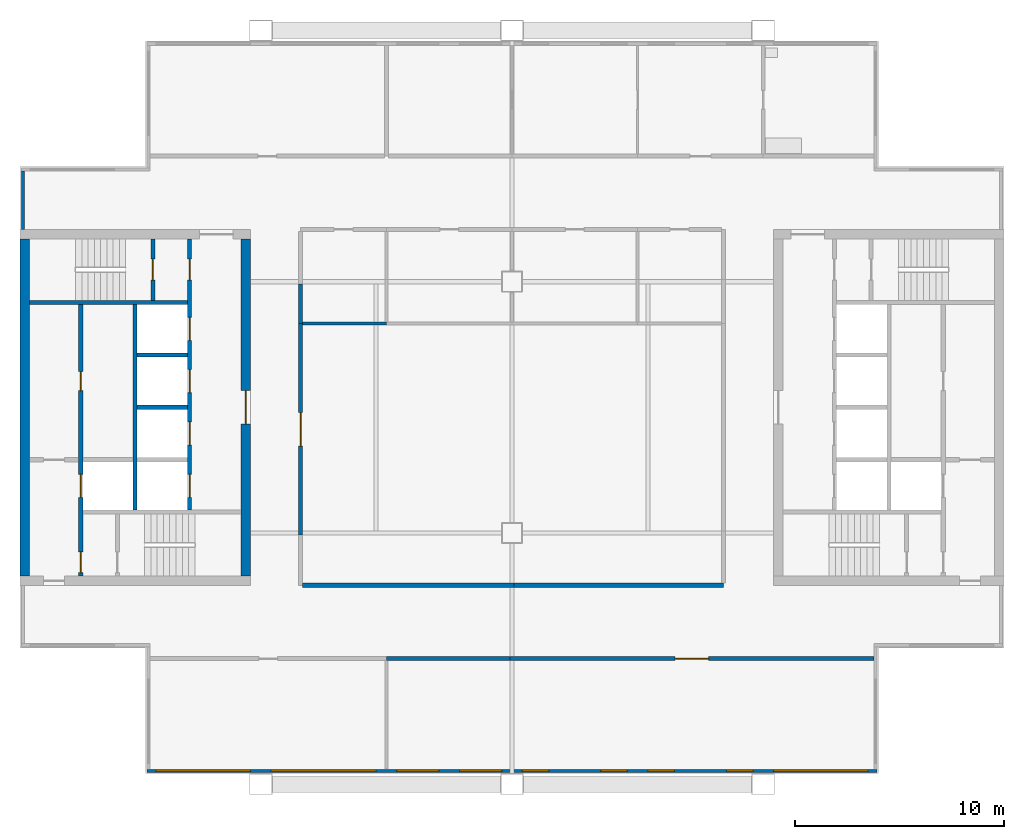
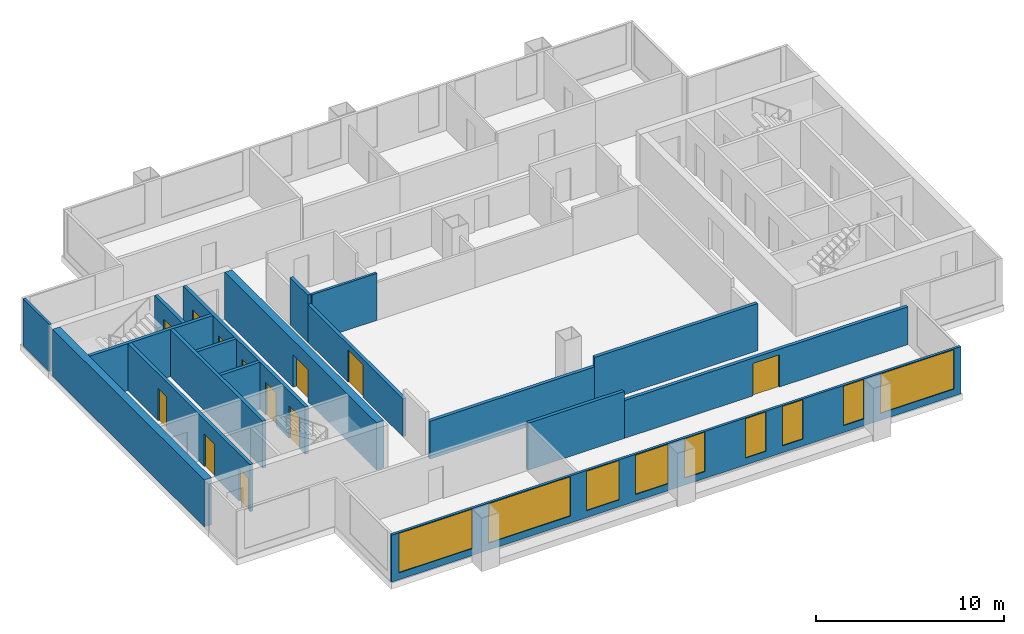
# One storey, part 2 of 7: 18 walls, 12 doors, 9 windows, 21 openings.
"""IFC4 building model written with IfcOpenShell, lengths in metres."""

from ifc_helpers import new_model, si_unit, direction, frame, frame_2d, origin, place, context, subcontext, project, spatial, rectangle, extrude, material, layer, layer_set, type_object, element, fill, save


model = new_model("IFC4")

# Units and contexts
model_context = context("Model", 3, precision=1e-05, world=origin(), true_north=direction((0.0, 1.0)))
body_context = subcontext(model_context, "Body", "Model", "MODEL_VIEW")
ifc_project = project(units=[si_unit("LENGTHUNIT", "METRE"), si_unit("AREAUNIT", "SQUARE_METRE"), si_unit("VOLUMEUNIT", "CUBIC_METRE"), si_unit("PLANEANGLEUNIT", "RADIAN"), si_unit("MASSUNIT", "GRAM", prefix="KILO")], contexts=[model_context])

# Site, building, storey
site_placement = place(None, origin())
site = spatial("IfcSite", under=ifc_project, at=site_placement, CompositionType="ELEMENT")
building_placement = place(site_placement, origin())
building = spatial("IfcBuilding", under=site, at=building_placement, Name="Kitamizu Gate Tower and Museum", CompositionType="ELEMENT")
storey_placement = place(building_placement, frame((0.0, 0.0, 242.10009765625)))
storey = spatial("IfcBuildingStorey", under=building, at=storey_placement, Name="L65", CompositionType="ELEMENT", Elevation=242.10009765625)

# Wall
ifc_material_1 = material(Name="Concrete Fc42", Category="concrete")
ifc_layer_1 = layer(ifc_material_1, 0.449951171875)
ifc_layer_set_1 = layer_set([ifc_layer_1], Name="Concrete Fc42")
wall_type_1 = type_object("IfcWallType", Name="Core wall 450", PredefinedType="SHEAR", material=ifc_layer_set_1)
wall_1_placement = place(storey_placement, frame((12.72509765625, 21.949951171875, 0.0), z_axis=(0.0, 0.0, 1.0), x_axis=(0.0, 1.0, 0.0)))
element("IfcWall", 1, at=wall_1_placement, inside=storey, type_object=wall_type_1, Name="Core wall WOUT", PredefinedType="SHEAR", context=body_context, shape_type="SweptSolid", body=[
    extrude(rectangle(XDim=16.10009765625, YDim=0.449951171875, at=frame_2d((8.050048828125, 0.0))), origin(), (0.0, 0.0, 1.0), 3.0498046875),
])

# Wall, opening, door
wall_2_placement = place(storey_placement, frame((23.27490234375, 21.949951171875, 0.0), z_axis=(0.0, 0.0, 1.0), x_axis=(0.0, 1.0, 0.0)))
wall_2 = element("IfcWall", 2, at=wall_2_placement, inside=storey, type_object=wall_type_1, Name="Core wall WARC", PredefinedType="SHEAR", context=body_context, shape_type="SweptSolid", body=[
    extrude(rectangle(XDim=16.10009765625, YDim=0.449951171875, at=frame_2d((8.050048828125, 0.0))), origin(), (0.0, 0.0, 1.0), 3.0498046875),
])
opening_1_placement = place(wall_2_placement, frame((7.25, 0.0, 0.0)))
opening_1 = element("IfcOpeningElement", 3, at=opening_1_placement, cuts=wall_2, Name="Opening L65-020", PredefinedType="OPENING", context=body_context, shape_type="SweptSolid", body=[
    extrude(rectangle(XDim=1.60009765625, YDim=2.10009765625, at=frame_2d((0.800048828125, 1.050048828125))), frame((0.0, 0.23486328125, 0.0), z_axis=(0.0, -1.0, 0.0), x_axis=(1.0, 0.0, 0.0)), (0.0, 0.0, 1.0), 0.469970703125),
])
ifc_material_2 = material(Name="Timber door set", Category="wood")
door_type_1 = type_object("IfcDoorType", Name="Entrance door 1600", OperationType="DOUBLE_DOOR_SINGLE_SWING", PredefinedType="DOOR", material=ifc_material_2)
door_1_placement = place(opening_1_placement, origin())
door_1 = element("IfcDoor", 4, at=door_1_placement, inside=storey, type_object=door_type_1, Name="Lobby door L65-020", OperationType="DOUBLE_DOOR_SINGLE_SWING", OverallHeight=2.10009765625, OverallWidth=1.60009765625, PredefinedType="DOOR", context=body_context, shape_type="SweptSolid", body=[
    extrude(rectangle(XDim=1.60009765625, YDim=2.10009765625, at=frame_2d((0.800048828125, 1.050048828125))), frame((0.0, 0.02490234375, 0.0), z_axis=(0.0, -1.0, 0.0), x_axis=(1.0, 0.0, 0.0)), (0.0, 0.0, 1.0), 0.050048828125),
])
fill(opening_1, door_1)

# Wall
ifc_material_3 = material(Name="Gypsum board on galvanised stud")
ifc_layer_2 = layer(ifc_material_3, 0.14990234375)
ifc_layer_set_2 = layer_set([ifc_layer_2], Name="Gypsum board on galvanised stud")
wall_type_2 = type_object("IfcWallType", Name="Partition 150", PredefinedType="PARTITIONING", material=ifc_layer_set_2)
wall_3_placement = place(storey_placement, frame((30.0, 34.0, 0.0), z_axis=(0.0, 0.0, 1.0), x_axis=(-1.0, 0.0, 0.0)))
element("IfcWall", 5, at=wall_3_placement, inside=storey, type_object=wall_type_2, Name="Partition L65-028", PredefinedType="PARTITIONING", context=body_context, shape_type="SweptSolid", body=[
    extrude(rectangle(XDim=4.0, YDim=0.14990234375, at=frame_2d((2.0, 0.0))), origin(), (0.0, 0.0, 1.0), 3.0498046875),
])

# Wall, opening, door
ifc_material_4 = material(Name="Gypsum board on galvanised stud")
ifc_layer_3 = layer(ifc_material_4, 0.199951171875)
ifc_layer_set_3 = layer_set([ifc_layer_3], Name="Gypsum board on galvanised stud")
wall_type_3 = type_object("IfcWallType", Name="Partition 200", PredefinedType="PARTITIONING", material=ifc_layer_set_3)
wall_4_placement = place(storey_placement, frame((53.280029296875, 18.0, 0.0), z_axis=(0.0, 0.0, 1.0), x_axis=(-1.0, 0.0, 0.0)))
wall_4 = element("IfcWall", 6, at=wall_4_placement, inside=storey, type_object=wall_type_3, Name="Partition L65-012", PredefinedType="PARTITIONING", context=body_context, shape_type="SweptSolid", body=[
    extrude(rectangle(XDim=17.380126953125, YDim=0.199951171875, at=frame_2d((8.68994140625, 0.0))), origin(), (0.0, 0.0, 1.0), 2.449951171875),
])
opening_2_placement = place(wall_4_placement, frame((7.889892578125, 0.0, 0.0)))
opening_2 = element("IfcOpeningElement", 7, at=opening_2_placement, cuts=wall_4, Name="Opening L65-007", PredefinedType="OPENING", context=body_context, shape_type="SweptSolid", body=[
    extrude(rectangle(XDim=1.60009765625, YDim=2.10009765625, at=frame_2d((0.800048828125, 1.050048828125))), frame((0.0, 0.10986328125, 0.0), z_axis=(0.0, -1.0, 0.0), x_axis=(1.0, 0.0, 0.0)), (0.0, 0.0, 1.0), 0.219970703125),
])
ifc_material_5 = material(Name="Timber door set", Category="wood")
door_type_2 = type_object("IfcDoorType", Name="Double door 1600", OperationType="DOUBLE_DOOR_SINGLE_SWING", PredefinedType="DOOR", material=ifc_material_5)
door_2_placement = place(opening_2_placement, origin())
door_2 = element("IfcDoor", 8, at=door_2_placement, inside=storey, type_object=door_type_2, Name="Double door L65-007", OperationType="DOUBLE_DOOR_SINGLE_SWING", OverallHeight=2.10009765625, OverallWidth=1.60009765625, PredefinedType="DOOR", context=body_context, shape_type="SweptSolid", body=[
    extrude(rectangle(XDim=1.60009765625, YDim=2.10009765625, at=frame_2d((0.800048828125, 1.050048828125))), frame((0.0, 0.02490234375, 0.0), z_axis=(0.0, -1.0, 0.0), x_axis=(1.0, 0.0, 0.0)), (0.0, 0.0, 1.0), 0.050048828125),
])
fill(opening_2, door_2)

# Wall
wall_5_placement = place(storey_placement, frame((35.89990234375, 18.0, 0.0), z_axis=(0.0, 0.0, 1.0), x_axis=(-1.0, 0.0, 0.0)))
element("IfcWall", 9, at=wall_5_placement, inside=storey, type_object=wall_type_3, Name="Partition L65-013", PredefinedType="PARTITIONING", context=body_context, shape_type="SweptSolid", body=[
    extrude(rectangle(XDim=5.89990234375, YDim=0.199951171875, at=frame_2d((2.949951171875, 0.0))), origin(), (0.0, 0.0, 1.0), 3.0498046875),
])

# Wall, opening, door
wall_6_placement = place(storey_placement, frame((25.89990234375, 34.0, 0.0), z_axis=(0.0, 0.0, 1.0), x_axis=(0.0, -1.0, 0.0)))
wall_6 = element("IfcWall", 10, at=wall_6_placement, inside=storey, type_object=wall_type_3, Name="Partition L65-014", PredefinedType="PARTITIONING", context=body_context, shape_type="SweptSolid", body=[
    extrude(rectangle(XDim=10.10009765625, YDim=0.199951171875, at=frame_2d((5.050048828125, 0.0))), origin(), (0.0, 0.0, 1.0), 2.449951171875),
])
opening_3_placement = place(wall_6_placement, frame((4.25, 0.0, 0.0)))
opening_3 = element("IfcOpeningElement", 11, at=opening_3_placement, cuts=wall_6, Name="Opening L65-008", PredefinedType="OPENING", context=body_context, shape_type="SweptSolid", body=[
    extrude(rectangle(XDim=1.60009765625, YDim=2.10009765625, at=frame_2d((0.800048828125, 1.050048828125))), frame((0.0, 0.10986328125, 0.0), z_axis=(0.0, -1.0, 0.0), x_axis=(1.0, 0.0, 0.0)), (0.0, 0.0, 1.0), 0.219970703125),
])
door_3_placement = place(opening_3_placement, origin())
door_3 = element("IfcDoor", 12, at=door_3_placement, inside=storey, type_object=door_type_2, Name="Double door L65-008", OperationType="DOUBLE_DOOR_SINGLE_SWING", OverallHeight=2.10009765625, OverallWidth=1.60009765625, PredefinedType="DOOR", context=body_context, shape_type="SweptSolid", body=[
    extrude(rectangle(XDim=1.60009765625, YDim=2.10009765625, at=frame_2d((0.800048828125, 1.050048828125))), frame((0.0, 0.02490234375, 0.0), z_axis=(0.0, -1.0, 0.0), x_axis=(1.0, 0.0, 0.0)), (0.0, 0.0, 1.0), 0.050048828125),
])
fill(opening_3, door_3)

# Walls
wall_7_placement = place(storey_placement, frame((26.0, 21.5, 0.0), z_axis=(0.0, 0.0, 1.0), x_axis=(1.0, 0.0, 0.0)))
element("IfcWall", 13, at=wall_7_placement, inside=storey, type_object=wall_type_3, Name="Partition L65-016", PredefinedType="PARTITIONING", context=body_context, shape_type="SweptSolid", body=[
    extrude(rectangle(XDim=10.10009765625, YDim=0.199951171875, at=frame_2d((5.050048828125, 0.0))), origin(), (0.0, 0.0, 1.0), 2.449951171875),
])
wall_8_placement = place(storey_placement, frame((36.10009765625, 21.5, 0.0), z_axis=(0.0, 0.0, 1.0), x_axis=(1.0, 0.0, 0.0)))
element("IfcWall", 14, at=wall_8_placement, inside=storey, type_object=wall_type_3, Name="Partition L65-017", PredefinedType="PARTITIONING", context=body_context, shape_type="SweptSolid", body=[
    extrude(rectangle(XDim=10.0, YDim=0.199951171875, at=frame_2d((5.0, 0.0))), origin(), (0.0, 0.0, 1.0), 3.0498046875),
])
wall_9_placement = place(storey_placement, frame((25.89990234375, 35.89990234375, 0.0), z_axis=(0.0, 0.0, 1.0), x_axis=(0.0, -1.0, 0.0)))
element("IfcWall", 15, at=wall_9_placement, inside=storey, type_object=wall_type_3, Name="Partition L65-022", PredefinedType="PARTITIONING", context=body_context, shape_type="SweptSolid", body=[
    extrude(rectangle(XDim=1.89990234375, YDim=0.199951171875, at=frame_2d((0.949951171875, 0.0))), origin(), (0.0, 0.0, 1.0), 3.0498046875),
])

# Wall, openings, doors
ifc_material_6 = material(Name="Concrete Fc42", Category="concrete")
ifc_layer_4 = layer(ifc_material_6, 0.199951171875)
ifc_layer_set_4 = layer_set([ifc_layer_4], Name="Concrete Fc42")
wall_type_4 = type_object("IfcWallType", Name="Shaft wall 200", PredefinedType="SOLIDWALL", material=ifc_layer_set_4)
wall_10_placement = place(storey_placement, frame((15.39990234375, 21.949951171875, 0.0), z_axis=(0.0, 0.0, 1.0), x_axis=(0.0, 1.0, 0.0)))
wall_10 = element("IfcWall", 16, at=wall_10_placement, inside=storey, type_object=wall_type_4, Name="Shaft wall WWEST", PredefinedType="SOLIDWALL", context=body_context, shape_type="SweptSolid", body=[
    extrude(rectangle(XDim=12.949951171875, YDim=0.199951171875, at=frame_2d((6.47509765625, 0.0))), origin(), (0.0, 0.0, 1.0), 3.0498046875),
])
opening_4_placement = place(wall_10_placement, frame((3.75, 0.0, 0.0)))
opening_4 = element("IfcOpeningElement", 17, at=opening_4_placement, cuts=wall_10, Name="Opening LD", PredefinedType="OPENING", context=body_context, shape_type="SweptSolid", body=[
    extrude(rectangle(XDim=1.10009765625, YDim=2.10009765625, at=frame_2d((0.550048828125, 1.050048828125))), frame((0.0, 0.10986328125, 0.0), z_axis=(0.0, -1.0, 0.0), x_axis=(1.0, 0.0, 0.0)), (0.0, 0.0, 1.0), 0.219970703125),
])
opening_5_placement = place(wall_10_placement, frame((0.14990234375, 0.0, 0.0)))
opening_5 = element("IfcOpeningElement", 18, at=opening_5_placement, cuts=wall_10, Name="Opening L65-014", PredefinedType="OPENING", context=body_context, shape_type="SweptSolid", body=[
    extrude(rectangle(XDim=1.0, YDim=2.10009765625, at=frame_2d((0.5, 1.050048828125))), frame((0.0, 0.10986328125, 0.0), z_axis=(0.0, -1.0, 0.0), x_axis=(1.0, 0.0, 0.0)), (0.0, 0.0, 1.0), 0.219970703125),
])
opening_6_placement = place(wall_10_placement, frame((8.85009765625, 0.0, 0.0)))
opening_6 = element("IfcOpeningElement", 19, at=opening_6_placement, cuts=wall_10, Name="Opening L65-021", PredefinedType="OPENING", context=body_context, shape_type="SweptSolid", body=[
    extrude(rectangle(XDim=0.89990234375, YDim=2.10009765625, at=frame_2d((0.449951171875, 1.050048828125))), frame((0.0, 0.10986328125, 0.0), z_axis=(0.0, -1.0, 0.0), x_axis=(1.0, 0.0, 0.0)), (0.0, 0.0, 1.0), 0.219970703125),
])
ifc_material_7 = material(Name="Hollow metal door set")
door_type_3 = type_object("IfcDoorType", Name="Fire door 1000", OperationType="NOTDEFINED", PredefinedType="DOOR", material=ifc_material_7)
door_4_placement = place(opening_5_placement, frame((1.0, 0.0, 0.0), x_axis=(-1.0, 0.0, 0.0)))
door_4 = element("IfcDoor", 20, at=door_4_placement, inside=storey, type_object=door_type_3, Name="Stair lobby door L65-014", OperationType="SINGLE_SWING_LEFT", OverallHeight=2.10009765625, OverallWidth=1.0, PredefinedType="DOOR", context=body_context, shape_type="SweptSolid", body=[
    extrude(rectangle(XDim=1.0, YDim=2.10009765625, at=frame_2d((0.5, 1.050048828125))), frame((0.0, 0.02490234375, 0.0), z_axis=(0.0, -1.0, 0.0), x_axis=(1.0, 0.0, 0.0)), (0.0, 0.0, 1.0), 0.050048828125),
])
fill(opening_5, door_4)
ifc_material_8 = material(Name="Hollow metal door set")
door_type_4 = type_object("IfcDoorType", Name="Landing door 1100", OperationType="SLIDING_TO_LEFT", PredefinedType="DOOR", material=ifc_material_8)
door_5_placement = place(opening_4_placement, origin())
door_5 = element("IfcDoor", 21, at=door_5_placement, inside=storey, type_object=door_type_4, Name="Landing door WFF1", OperationType="SLIDING_TO_LEFT", OverallHeight=2.10009765625, OverallWidth=1.10009765625, PredefinedType="DOOR", context=body_context, shape_type="SweptSolid", body=[
    extrude(rectangle(XDim=1.10009765625, YDim=2.10009765625, at=frame_2d((0.550048828125, 1.050048828125))), frame((0.0, 0.02490234375, 0.0), z_axis=(0.0, -1.0, 0.0), x_axis=(1.0, 0.0, 0.0)), (0.0, 0.0, 1.0), 0.050048828125),
])
fill(opening_4, door_5)
ifc_material_9 = material(Name="Timber door set", Category="wood")
door_type_5 = type_object("IfcDoorType", Name="Service door 900", OperationType="NOTDEFINED", PredefinedType="DOOR", material=ifc_material_9)
door_6_placement = place(opening_6_placement, frame((0.89990234375, 0.0, 0.0), x_axis=(-1.0, 0.0, 0.0)))
door_6 = element("IfcDoor", 22, at=door_6_placement, inside=storey, type_object=door_type_5, Name="Service door L65-021", OperationType="SINGLE_SWING_LEFT", OverallHeight=2.10009765625, OverallWidth=0.89990234375, PredefinedType="DOOR", context=body_context, shape_type="SweptSolid", body=[
    extrude(rectangle(XDim=0.89990234375, YDim=2.10009765625, at=frame_2d((0.449951171875, 1.050048828125))), frame((0.0, 0.02490234375, 0.0), z_axis=(0.0, -1.0, 0.0), x_axis=(1.0, 0.0, 0.0)), (0.0, 0.0, 1.0), 0.050048828125),
])
fill(opening_6, door_6)

wall_11_placement = place(storey_placement, frame((20.60009765625, 25.10009765625, 0.0), z_axis=(0.0, 0.0, 1.0), x_axis=(0.0, 1.0, 0.0)))
wall_11 = element("IfcWall", 23, at=wall_11_placement, inside=storey, type_object=wall_type_4, Name="Shaft wall WEAST", PredefinedType="SOLIDWALL", context=body_context, shape_type="SweptSolid", body=[
    extrude(rectangle(XDim=12.949951171875, YDim=0.199951171875, at=frame_2d((6.47509765625, 0.0))), origin(), (0.0, 0.0, 1.0), 3.0498046875),
])
opening_7_placement = place(wall_11_placement, frame((0.60009765625, 0.0, 0.0)))
opening_7 = element("IfcOpeningElement", 24, at=opening_7_placement, cuts=wall_11, Name="Opening LD", PredefinedType="OPENING", context=body_context, shape_type="SweptSolid", body=[
    extrude(rectangle(XDim=1.10009765625, YDim=2.10009765625, at=frame_2d((0.550048828125, 1.050048828125))), frame((0.0, 0.10986328125, 0.0), z_axis=(0.0, -1.0, 0.0), x_axis=(1.0, 0.0, 0.0)), (0.0, 0.0, 1.0), 0.219970703125),
])
opening_8_placement = place(wall_11_placement, frame((3.10009765625, 0.0, 0.0)))
opening_8 = element("IfcOpeningElement", 25, at=opening_8_placement, cuts=wall_11, Name="Opening LD", PredefinedType="OPENING", context=body_context, shape_type="SweptSolid", body=[
    extrude(rectangle(XDim=1.10009765625, YDim=2.10009765625, at=frame_2d((0.550048828125, 1.050048828125))), frame((0.0, 0.10986328125, 0.0), z_axis=(0.0, -1.0, 0.0), x_axis=(1.0, 0.0, 0.0)), (0.0, 0.0, 1.0), 0.219970703125),
])
opening_9_placement = place(wall_11_placement, frame((5.60009765625, 0.0, 0.0)))
opening_9 = element("IfcOpeningElement", 26, at=opening_9_placement, cuts=wall_11, Name="Opening LD", PredefinedType="OPENING", context=body_context, shape_type="SweptSolid", body=[
    extrude(rectangle(XDim=1.10009765625, YDim=2.10009765625, at=frame_2d((0.550048828125, 1.050048828125))), frame((0.0, 0.10986328125, 0.0), z_axis=(0.0, -1.0, 0.0), x_axis=(1.0, 0.0, 0.0)), (0.0, 0.0, 1.0), 0.219970703125),
])
opening_10_placement = place(wall_11_placement, frame((8.10009765625, 0.0, 0.0)))
opening_10 = element("IfcOpeningElement", 27, at=opening_10_placement, cuts=wall_11, Name="Opening LD", PredefinedType="OPENING", context=body_context, shape_type="SweptSolid", body=[
    extrude(rectangle(XDim=1.10009765625, YDim=2.10009765625, at=frame_2d((0.550048828125, 1.050048828125))), frame((0.0, 0.10986328125, 0.0), z_axis=(0.0, -1.0, 0.0), x_axis=(1.0, 0.0, 0.0)), (0.0, 0.0, 1.0), 0.219970703125),
])
opening_11_placement = place(wall_11_placement, frame((10.97509765625, 0.0, 0.0)))
opening_11 = element("IfcOpeningElement", 28, at=opening_11_placement, cuts=wall_11, Name="Opening L65-015", PredefinedType="OPENING", context=body_context, shape_type="SweptSolid", body=[
    extrude(rectangle(XDim=1.0, YDim=2.10009765625, at=frame_2d((0.5, 1.050048828125))), frame((0.0, 0.10986328125, 0.0), z_axis=(0.0, -1.0, 0.0), x_axis=(1.0, 0.0, 0.0)), (0.0, 0.0, 1.0), 0.219970703125),
])
door_7_placement = place(opening_11_placement, origin())
door_7 = element("IfcDoor", 29, at=door_7_placement, inside=storey, type_object=door_type_3, Name="Stair lobby door L65-015", OperationType="SINGLE_SWING_RIGHT", OverallHeight=2.10009765625, OverallWidth=1.0, PredefinedType="DOOR", context=body_context, shape_type="SweptSolid", body=[
    extrude(rectangle(XDim=1.0, YDim=2.10009765625, at=frame_2d((0.5, 1.050048828125))), frame((0.0, 0.02490234375, 0.0), z_axis=(0.0, -1.0, 0.0), x_axis=(1.0, 0.0, 0.0)), (0.0, 0.0, 1.0), 0.050048828125),
])
fill(opening_11, door_7)
door_8_placement = place(opening_7_placement, origin())
door_8 = element("IfcDoor", 30, at=door_8_placement, inside=storey, type_object=door_type_4, Name="Landing door WSV1", OperationType="SLIDING_TO_LEFT", OverallHeight=2.10009765625, OverallWidth=1.10009765625, PredefinedType="DOOR", context=body_context, shape_type="SweptSolid", body=[
    extrude(rectangle(XDim=1.10009765625, YDim=2.10009765625, at=frame_2d((0.550048828125, 1.050048828125))), frame((0.0, 0.02490234375, 0.0), z_axis=(0.0, -1.0, 0.0), x_axis=(1.0, 0.0, 0.0)), (0.0, 0.0, 1.0), 0.050048828125),
])
fill(opening_7, door_8)
door_9_placement = place(opening_8_placement, origin())
door_9 = element("IfcDoor", 31, at=door_9_placement, inside=storey, type_object=door_type_4, Name="Landing door WH1", OperationType="SLIDING_TO_LEFT", OverallHeight=2.10009765625, OverallWidth=1.10009765625, PredefinedType="DOOR", context=body_context, shape_type="SweptSolid", body=[
    extrude(rectangle(XDim=1.10009765625, YDim=2.10009765625, at=frame_2d((0.550048828125, 1.050048828125))), frame((0.0, 0.02490234375, 0.0), z_axis=(0.0, -1.0, 0.0), x_axis=(1.0, 0.0, 0.0)), (0.0, 0.0, 1.0), 0.050048828125),
])
fill(opening_8, door_9)
door_10_placement = place(opening_9_placement, origin())
door_10 = element("IfcDoor", 32, at=door_10_placement, inside=storey, type_object=door_type_4, Name="Landing door WH2", OperationType="SLIDING_TO_LEFT", OverallHeight=2.10009765625, OverallWidth=1.10009765625, PredefinedType="DOOR", context=body_context, shape_type="SweptSolid", body=[
    extrude(rectangle(XDim=1.10009765625, YDim=2.10009765625, at=frame_2d((0.550048828125, 1.050048828125))), frame((0.0, 0.02490234375, 0.0), z_axis=(0.0, -1.0, 0.0), x_axis=(1.0, 0.0, 0.0)), (0.0, 0.0, 1.0), 0.050048828125),
])
fill(opening_9, door_10)
door_11_placement = place(opening_10_placement, origin())
door_11 = element("IfcDoor", 33, at=door_11_placement, inside=storey, type_object=door_type_4, Name="Landing door WH3", OperationType="SLIDING_TO_LEFT", OverallHeight=2.10009765625, OverallWidth=1.10009765625, PredefinedType="DOOR", context=body_context, shape_type="SweptSolid", body=[
    extrude(rectangle(XDim=1.10009765625, YDim=2.10009765625, at=frame_2d((0.550048828125, 1.050048828125))), frame((0.0, 0.02490234375, 0.0), z_axis=(0.0, -1.0, 0.0), x_axis=(1.0, 0.0, 0.0)), (0.0, 0.0, 1.0), 0.050048828125),
])
fill(opening_10, door_11)

# Walls
wall_12_placement = place(storey_placement, frame((18.0, 25.10009765625, 0.0), z_axis=(0.0, 0.0, 1.0), x_axis=(0.0, 1.0, 0.0)))
element("IfcWall", 34, at=wall_12_placement, inside=storey, type_object=wall_type_4, Name="Shaft wall WMID", PredefinedType="SOLIDWALL", context=body_context, shape_type="SweptSolid", body=[
    extrude(rectangle(XDim=9.7998046875, YDim=0.199951171875, at=frame_2d((4.89990234375, 0.0))), origin(), (0.0, 0.0, 1.0), 3.0498046875),
])
wall_13_placement = place(storey_placement, frame((12.949951171875, 35.0, 0.0), z_axis=(0.0, 0.0, 1.0), x_axis=(1.0, 0.0, 0.0)))
element("IfcWall", 35, at=wall_13_placement, inside=storey, type_object=wall_type_4, Name="Shaft wall WNB", PredefinedType="SOLIDWALL", context=body_context, shape_type="SweptSolid", body=[
    extrude(rectangle(XDim=7.550048828125, YDim=0.199951171875, at=frame_2d((3.77490234375, 0.0))), origin(), (0.0, 0.0, 1.0), 3.0498046875),
])

# Wall, opening, door
wall_14_placement = place(storey_placement, frame((18.85009765625, 35.10009765625, 0.0), z_axis=(0.0, 0.0, 1.0), x_axis=(0.0, 1.0, 0.0)))
wall_14 = element("IfcWall", 36, at=wall_14_placement, inside=storey, type_object=wall_type_4, Name="Shaft wall WNZ", PredefinedType="SOLIDWALL", context=body_context, shape_type="SweptSolid", body=[
    extrude(rectangle(XDim=2.949951171875, YDim=0.199951171875, at=frame_2d((1.47509765625, 0.0))), origin(), (0.0, 0.0, 1.0), 3.0498046875),
])
opening_12_placement = place(wall_14_placement, frame((0.97509765625, 0.0, 0.0)))
opening_12 = element("IfcOpeningElement", 37, at=opening_12_placement, cuts=wall_14, Name="Opening L65-016", PredefinedType="OPENING", context=body_context, shape_type="SweptSolid", body=[
    extrude(rectangle(XDim=1.0, YDim=2.10009765625, at=frame_2d((0.5, 1.050048828125))), frame((0.0, 0.10986328125, 0.0), z_axis=(0.0, -1.0, 0.0), x_axis=(1.0, 0.0, 0.0)), (0.0, 0.0, 1.0), 0.219970703125),
])
door_12_placement = place(opening_12_placement, origin())
door_12 = element("IfcDoor", 38, at=door_12_placement, inside=storey, type_object=door_type_3, Name="Stair door L65-016", OperationType="SINGLE_SWING_LEFT", OverallHeight=2.10009765625, OverallWidth=1.0, PredefinedType="DOOR", context=body_context, shape_type="SweptSolid", body=[
    extrude(rectangle(XDim=1.0, YDim=2.10009765625, at=frame_2d((0.5, 1.050048828125))), frame((0.0, 0.02490234375, 0.0), z_axis=(0.0, -1.0, 0.0), x_axis=(1.0, 0.0, 0.0)), (0.0, 0.0, 1.0), 0.050048828125),
])
fill(opening_12, door_12)

# Walls
for number, where, z_axis, x_axis, name in (
    (39, (18.10009765625, 30.0, 0.0), (0.0, 0.0, 1.0), (1.0, 0.0, 0.0), "Shaft wall WDVE1"),
    (40, (18.10009765625, 32.5, 0.0), (0.0, 0.0, 1.0), (1.0, 0.0, 0.0), "Shaft wall WDVE2"),
):
    element("IfcWall", number, at=place(storey_placement, frame(where, z_axis=z_axis, x_axis=x_axis)), inside=storey, type_object=wall_type_4, Name=name, PredefinedType="SOLIDWALL", context=body_context, shape_type="SweptSolid", body=[
        extrude(rectangle(XDim=2.39990234375, YDim=0.199951171875, at=frame_2d((1.199951171875, 0.0))), origin(), (0.0, 0.0, 1.0), 3.0498046875),
    ])

# Wall, openings, windows
ifc_material_10 = material(Name="Bronze anodised aluminium frame with insulated spandrel and tinted glass", Category="aluminium")
ifc_layer_5 = layer(ifc_material_10, 0.14990234375)
ifc_layer_set_5 = layer_set([ifc_layer_5], Name="Bronze anodised aluminium frame with insulated spandrel and tinted glass")
wall_type_5 = type_object("IfcWallType", Name="WINDOW WALL 150 BRONZE FRAME EI 30", PredefinedType="ELEMENTEDWALL", material=ifc_layer_set_5)
wall_15_placement = place(storey_placement, frame((18.56005859375, 12.635009765625, 0.0), z_axis=(0.0, 0.0, 1.0), x_axis=(1.0, 0.0, 0.0)))
wall_15 = element("IfcWall", 41, at=wall_15_placement, inside=storey, type_object=wall_type_5, Name="Window wall south L65", PredefinedType="ELEMENTEDWALL", context=body_context, shape_type="SweptSolid", body=[
    extrude(rectangle(XDim=34.8798828125, YDim=0.14990234375, at=frame_2d((17.43994140625, 0.0))), origin(), (0.0, 0.0, 1.0), 3.0498046875),
])
opening_13_placement = place(wall_15_placement, frame((0.43994140625, 0.0, 0.449951171875)))
opening_13 = element("IfcOpeningElement", 42, at=opening_13_placement, cuts=wall_15, Name="Opening W15", PredefinedType="OPENING", context=body_context, shape_type="SweptSolid", body=[
    extrude(rectangle(XDim=4.5, YDim=2.550048828125, at=frame_2d((2.25, 1.27490234375))), frame((0.0, 0.0849609375, 0.0), z_axis=(0.0, -1.0, 0.0), x_axis=(1.0, 0.0, 0.0)), (0.0, 0.0, 1.0), 0.169921875),
])
opening_14_placement = place(wall_15_placement, frame((5.93994140625, 0.0, 0.449951171875)))
opening_14 = element("IfcOpeningElement", 43, at=opening_14_placement, cuts=wall_15, Name="Opening W1", PredefinedType="OPENING", context=body_context, shape_type="SweptSolid", body=[
    extrude(rectangle(XDim=5.0, YDim=2.550048828125, at=frame_2d((2.5, 1.27490234375))), frame((0.0, 0.0849609375, 0.0), z_axis=(0.0, -1.0, 0.0), x_axis=(1.0, 0.0, 0.0)), (0.0, 0.0, 1.0), 0.169921875),
])
opening_15_placement = place(wall_15_placement, frame((11.93994140625, 0.0, 0.449951171875)))
opening_15 = element("IfcOpeningElement", 44, at=opening_15_placement, cuts=wall_15, Name="Opening W2", PredefinedType="OPENING", context=body_context, shape_type="SweptSolid", body=[
    extrude(rectangle(XDim=2.0, YDim=2.550048828125, at=frame_2d((1.0, 1.27490234375))), frame((0.0, 0.0849609375, 0.0), z_axis=(0.0, -1.0, 0.0), x_axis=(1.0, 0.0, 0.0)), (0.0, 0.0, 1.0), 0.169921875),
])
opening_16_placement = place(wall_15_placement, frame((14.93994140625, 0.0, 0.449951171875)))
opening_16 = element("IfcOpeningElement", 45, at=opening_16_placement, cuts=wall_15, Name="Opening W2", PredefinedType="OPENING", context=body_context, shape_type="SweptSolid", body=[
    extrude(rectangle(XDim=2.0, YDim=2.550048828125, at=frame_2d((1.0, 1.27490234375))), frame((0.0, 0.0849609375, 0.0), z_axis=(0.0, -1.0, 0.0), x_axis=(1.0, 0.0, 0.0)), (0.0, 0.0, 1.0), 0.169921875),
])
opening_17_placement = place(wall_15_placement, frame((17.93994140625, 0.0, 0.449951171875)))
opening_17 = element("IfcOpeningElement", 46, at=opening_17_placement, cuts=wall_15, Name="Opening W27", PredefinedType="OPENING", context=body_context, shape_type="SweptSolid", body=[
    extrude(rectangle(XDim=1.25, YDim=2.550048828125, at=frame_2d((0.625, 1.27490234375))), frame((0.0, 0.0849609375, 0.0), z_axis=(0.0, -1.0, 0.0), x_axis=(1.0, 0.0, 0.0)), (0.0, 0.0, 1.0), 0.169921875),
])
opening_18_placement = place(wall_15_placement, frame((21.68994140625, 0.0, 0.449951171875)))
opening_18 = element("IfcOpeningElement", 47, at=opening_18_placement, cuts=wall_15, Name="Opening W27", PredefinedType="OPENING", context=body_context, shape_type="SweptSolid", body=[
    extrude(rectangle(XDim=1.25, YDim=2.550048828125, at=frame_2d((0.625, 1.27490234375))), frame((0.0, 0.0849609375, 0.0), z_axis=(0.0, -1.0, 0.0), x_axis=(1.0, 0.0, 0.0)), (0.0, 0.0, 1.0), 0.169921875),
])
opening_19_placement = place(wall_15_placement, frame((23.93994140625, 0.0, 0.449951171875)))
opening_19 = element("IfcOpeningElement", 48, at=opening_19_placement, cuts=wall_15, Name="Opening W27", PredefinedType="OPENING", context=body_context, shape_type="SweptSolid", body=[
    extrude(rectangle(XDim=1.25, YDim=2.550048828125, at=frame_2d((0.625, 1.27490234375))), frame((0.0, 0.0849609375, 0.0), z_axis=(0.0, -1.0, 0.0), x_axis=(1.0, 0.0, 0.0)), (0.0, 0.0, 1.0), 0.169921875),
])
opening_20_placement = place(wall_15_placement, frame((27.68994140625, 0.0, 0.449951171875)))
opening_20 = element("IfcOpeningElement", 49, at=opening_20_placement, cuts=wall_15, Name="Opening W27", PredefinedType="OPENING", context=body_context, shape_type="SweptSolid", body=[
    extrude(rectangle(XDim=1.25, YDim=2.550048828125, at=frame_2d((0.625, 1.27490234375))), frame((0.0, 0.0849609375, 0.0), z_axis=(0.0, -1.0, 0.0), x_axis=(1.0, 0.0, 0.0)), (0.0, 0.0, 1.0), 0.169921875),
])
opening_21_placement = place(wall_15_placement, frame((29.93994140625, 0.0, 0.449951171875)))
opening_21 = element("IfcOpeningElement", 50, at=opening_21_placement, cuts=wall_15, Name="Opening W15", PredefinedType="OPENING", context=body_context, shape_type="SweptSolid", body=[
    extrude(rectangle(XDim=4.5, YDim=2.550048828125, at=frame_2d((2.25, 1.27490234375))), frame((0.0, 0.0849609375, 0.0), z_axis=(0.0, -1.0, 0.0), x_axis=(1.0, 0.0, 0.0)), (0.0, 0.0, 1.0), 0.169921875),
])
ifc_material_11 = material(Name="Bronze anodised aluminium frame, tinted triple glazing", Category="aluminium")
window_type_1 = type_object("IfcWindowType", Name="WINDOW 1250 x 2550 SILL 450", PartitioningType="SINGLE_PANEL", PredefinedType="WINDOW", material=ifc_material_11)
window_1_placement = place(opening_17_placement, origin())
window_1 = element("IfcWindow", 51, at=window_1_placement, inside=storey, type_object=window_type_1, Name="Window W27 L65", OverallHeight=2.550048828125, OverallWidth=1.25, PartitioningType="SINGLE_PANEL", PredefinedType="WINDOW", context=body_context, shape_type="SweptSolid", body=[
    extrude(rectangle(XDim=1.25, YDim=2.550048828125, at=frame_2d((0.625, 1.27490234375))), frame((0.0, 0.030029296875, 0.0), z_axis=(0.0, -1.0, 0.0), x_axis=(1.0, 0.0, 0.0)), (0.0, 0.0, 1.0), 0.06005859375),
])
fill(opening_17, window_1)
window_2_placement = place(opening_18_placement, origin())
window_2 = element("IfcWindow", 52, at=window_2_placement, inside=storey, type_object=window_type_1, Name="Window W27 L65", OverallHeight=2.550048828125, OverallWidth=1.25, PartitioningType="SINGLE_PANEL", PredefinedType="WINDOW", context=body_context, shape_type="SweptSolid", body=[
    extrude(rectangle(XDim=1.25, YDim=2.550048828125, at=frame_2d((0.625, 1.27490234375))), frame((0.0, 0.030029296875, 0.0), z_axis=(0.0, -1.0, 0.0), x_axis=(1.0, 0.0, 0.0)), (0.0, 0.0, 1.0), 0.06005859375),
])
fill(opening_18, window_2)
window_3_placement = place(opening_19_placement, origin())
window_3 = element("IfcWindow", 53, at=window_3_placement, inside=storey, type_object=window_type_1, Name="Window W27 L65", OverallHeight=2.550048828125, OverallWidth=1.25, PartitioningType="SINGLE_PANEL", PredefinedType="WINDOW", context=body_context, shape_type="SweptSolid", body=[
    extrude(rectangle(XDim=1.25, YDim=2.550048828125, at=frame_2d((0.625, 1.27490234375))), frame((0.0, 0.030029296875, 0.0), z_axis=(0.0, -1.0, 0.0), x_axis=(1.0, 0.0, 0.0)), (0.0, 0.0, 1.0), 0.06005859375),
])
fill(opening_19, window_3)
window_4_placement = place(opening_20_placement, origin())
window_4 = element("IfcWindow", 54, at=window_4_placement, inside=storey, type_object=window_type_1, Name="Window W27 L65", OverallHeight=2.550048828125, OverallWidth=1.25, PartitioningType="SINGLE_PANEL", PredefinedType="WINDOW", context=body_context, shape_type="SweptSolid", body=[
    extrude(rectangle(XDim=1.25, YDim=2.550048828125, at=frame_2d((0.625, 1.27490234375))), frame((0.0, 0.030029296875, 0.0), z_axis=(0.0, -1.0, 0.0), x_axis=(1.0, 0.0, 0.0)), (0.0, 0.0, 1.0), 0.06005859375),
])
fill(opening_20, window_4)
ifc_material_12 = material(Name="Bronze anodised aluminium frame, tinted triple glazing", Category="aluminium")
window_type_2 = type_object("IfcWindowType", Name="WINDOW 2000 x 2550 SILL 450", PartitioningType="SINGLE_PANEL", PredefinedType="WINDOW", material=ifc_material_12)
window_5_placement = place(opening_15_placement, origin())
window_5 = element("IfcWindow", 55, at=window_5_placement, inside=storey, type_object=window_type_2, Name="Window W2 L65", OverallHeight=2.550048828125, OverallWidth=2.0, PartitioningType="SINGLE_PANEL", PredefinedType="WINDOW", context=body_context, shape_type="SweptSolid", body=[
    extrude(rectangle(XDim=2.0, YDim=2.550048828125, at=frame_2d((1.0, 1.27490234375))), frame((0.0, 0.030029296875, 0.0), z_axis=(0.0, -1.0, 0.0), x_axis=(1.0, 0.0, 0.0)), (0.0, 0.0, 1.0), 0.06005859375),
])
fill(opening_15, window_5)
window_6_placement = place(opening_16_placement, origin())
window_6 = element("IfcWindow", 56, at=window_6_placement, inside=storey, type_object=window_type_2, Name="Window W2 L65", OverallHeight=2.550048828125, OverallWidth=2.0, PartitioningType="SINGLE_PANEL", PredefinedType="WINDOW", context=body_context, shape_type="SweptSolid", body=[
    extrude(rectangle(XDim=2.0, YDim=2.550048828125, at=frame_2d((1.0, 1.27490234375))), frame((0.0, 0.030029296875, 0.0), z_axis=(0.0, -1.0, 0.0), x_axis=(1.0, 0.0, 0.0)), (0.0, 0.0, 1.0), 0.06005859375),
])
fill(opening_16, window_6)
ifc_material_13 = material(Name="Bronze anodised aluminium frame, tinted triple glazing", Category="aluminium")
window_type_3 = type_object("IfcWindowType", Name="WINDOW 4500 x 2550 SILL 450", PartitioningType="SINGLE_PANEL", PredefinedType="WINDOW", material=ifc_material_13)
window_7_placement = place(opening_13_placement, origin())
window_7 = element("IfcWindow", 57, at=window_7_placement, inside=storey, type_object=window_type_3, Name="Window W15 L65", OverallHeight=2.550048828125, OverallWidth=4.5, PartitioningType="SINGLE_PANEL", PredefinedType="WINDOW", context=body_context, shape_type="SweptSolid", body=[
    extrude(rectangle(XDim=4.5, YDim=2.550048828125, at=frame_2d((2.25, 1.27490234375))), frame((0.0, 0.030029296875, 0.0), z_axis=(0.0, -1.0, 0.0), x_axis=(1.0, 0.0, 0.0)), (0.0, 0.0, 1.0), 0.06005859375),
])
fill(opening_13, window_7)
window_8_placement = place(opening_21_placement, origin())
window_8 = element("IfcWindow", 58, at=window_8_placement, inside=storey, type_object=window_type_3, Name="Window W15 L65", OverallHeight=2.550048828125, OverallWidth=4.5, PartitioningType="SINGLE_PANEL", PredefinedType="WINDOW", context=body_context, shape_type="SweptSolid", body=[
    extrude(rectangle(XDim=4.5, YDim=2.550048828125, at=frame_2d((2.25, 1.27490234375))), frame((0.0, 0.030029296875, 0.0), z_axis=(0.0, -1.0, 0.0), x_axis=(1.0, 0.0, 0.0)), (0.0, 0.0, 1.0), 0.06005859375),
])
fill(opening_21, window_8)
ifc_material_14 = material(Name="Bronze anodised aluminium frame, tinted triple glazing", Category="aluminium")
window_type_4 = type_object("IfcWindowType", Name="WINDOW 5000 x 2550 SILL 450", PartitioningType="SINGLE_PANEL", PredefinedType="WINDOW", material=ifc_material_14)
window_9_placement = place(opening_14_placement, origin())
window_9 = element("IfcWindow", 59, at=window_9_placement, inside=storey, type_object=window_type_4, Name="Window W1 L65", OverallHeight=2.550048828125, OverallWidth=5.0, PartitioningType="SINGLE_PANEL", PredefinedType="WINDOW", context=body_context, shape_type="SweptSolid", body=[
    extrude(rectangle(XDim=5.0, YDim=2.550048828125, at=frame_2d((2.5, 1.27490234375))), frame((0.0, 0.030029296875, 0.0), z_axis=(0.0, -1.0, 0.0), x_axis=(1.0, 0.0, 0.0)), (0.0, 0.0, 1.0), 0.06005859375),
])
fill(opening_14, window_9)

# Wall
wall_16_placement = place(storey_placement, frame((12.635009765625, 38.5, 0.0), z_axis=(0.0, 0.0, 1.0), x_axis=(0.0, 1.0, 0.0)))
element("IfcWall", 60, at=wall_16_placement, inside=storey, type_object=wall_type_5, Name="Window wall west L65", PredefinedType="ELEMENTEDWALL", context=body_context, shape_type="SweptSolid", body=[
    extrude(rectangle(XDim=2.7900390625, YDim=0.14990234375, at=frame_2d((1.39501953125, 0.0))), origin(), (0.0, 0.0, 1.0), 3.0498046875),
])

save(model, "model.ifc")
